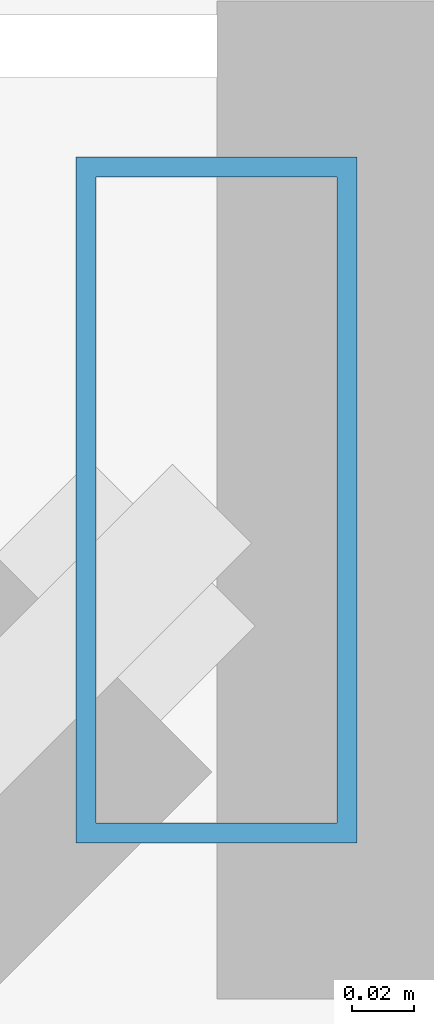
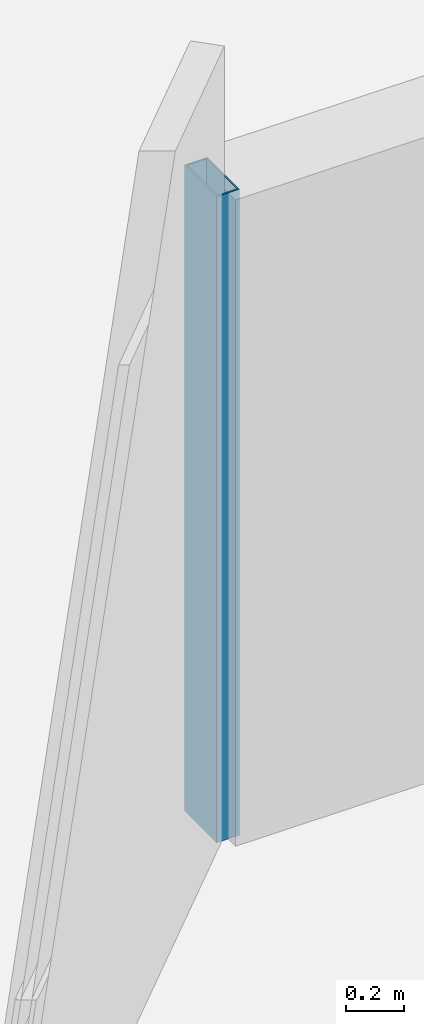
# One storey, part 16 of 33: 1 member, 1 element without a shape of its own.
"""IFC4 building model written with IfcOpenShell, lengths in metres."""

from ifc_helpers import new_model, si_unit, direction, frame, origin, origin_2d, place, context, subcontext, project, spatial, hollow_rectangle, extrude, material, material_profile, profile_set, type_object, element, aggregate, save


model = new_model("IFC4")

# Units and contexts
model_context = context("Model", 3, precision=1e-05, world=origin(), true_north=direction((0.0, 1.0)))
body_context = subcontext(model_context, "Body", "Model", "MODEL_VIEW")
ifc_project = project(units=[si_unit("LENGTHUNIT", "METRE"), si_unit("AREAUNIT", "SQUARE_METRE"), si_unit("VOLUMEUNIT", "CUBIC_METRE"), si_unit("PLANEANGLEUNIT", "RADIAN"), si_unit("MASSUNIT", "GRAM", prefix="KILO")], contexts=[model_context])

# Site, building, storey
site_placement = place(None, origin())
site = spatial("IfcSite", under=ifc_project, at=site_placement, CompositionType="ELEMENT")
building_placement = place(site_placement, origin())
building = spatial("IfcBuilding", under=site, at=building_placement, Name="Thornwick Lancets Civic Towers", CompositionType="ELEMENT")
storey_placement = place(building_placement, frame((0.0, 0.0, 98.10009765625)))
storey = spatial("IfcBuildingStorey", under=building, at=storey_placement, Name="L25", CompositionType="ELEMENT", Elevation=98.10009765625)

# Curtain wall, member
ifc_material_1 = material(Name="Low-zone chamfered-corner unitised glass curtain wall", Category="glass")
curtain_wall_type = type_object("IfcCurtainWallType", Name="CW_SYS_03", PredefinedType="NOTDEFINED", material=ifc_material_1)
curtain_wall_placement = place(storey_placement, origin())
curtain_wall = element("IfcCurtainWall", 1, at=curtain_wall_placement, inside=storey, type_object=curtain_wall_type, Name="L25 Curtain Wall CW-L25-B-E5", PredefinedType="NOTDEFINED")
ifc_material_2 = material(Name="Thermally broken bronze aluminium S355", Category="steel")
ifc_material_profile = material_profile(ifc_material_2, hollow_rectangle(XDim=0.090087890625, YDim=0.219970703125, WallThickness=0.00634765625, at=origin_2d()), Name="RHS 220x90x6.3")
ifc_profile_set = profile_set([ifc_material_profile], Name="Thermally broken bronze aluminium S355")
member_type = type_object("IfcMemberType", Name="CW_MUL_220", PredefinedType="MULLION", material=ifc_profile_set)
member_placement = place(storey_placement, frame((67.11865234375, 44.964599609375, 0.0), z_axis=(0.0, 0.0, 1.0), x_axis=(1.0, 0.0, 0.0)))
member = element("IfcMember", 2, at=member_placement, type_object=member_type, Name="CW-L25-B-E5 Mullion 0", PredefinedType="MULLION", context=body_context, shape_type="SweptSolid", body=[
    extrude(hollow_rectangle(XDim=0.090087890625, YDim=0.219970703125, WallThickness=0.00634765625, at=origin_2d()), origin(), (0.0, 0.0, 1.0), 2.699951171875),
])
aggregate(curtain_wall, [member])

save(model, "model.ifc")
